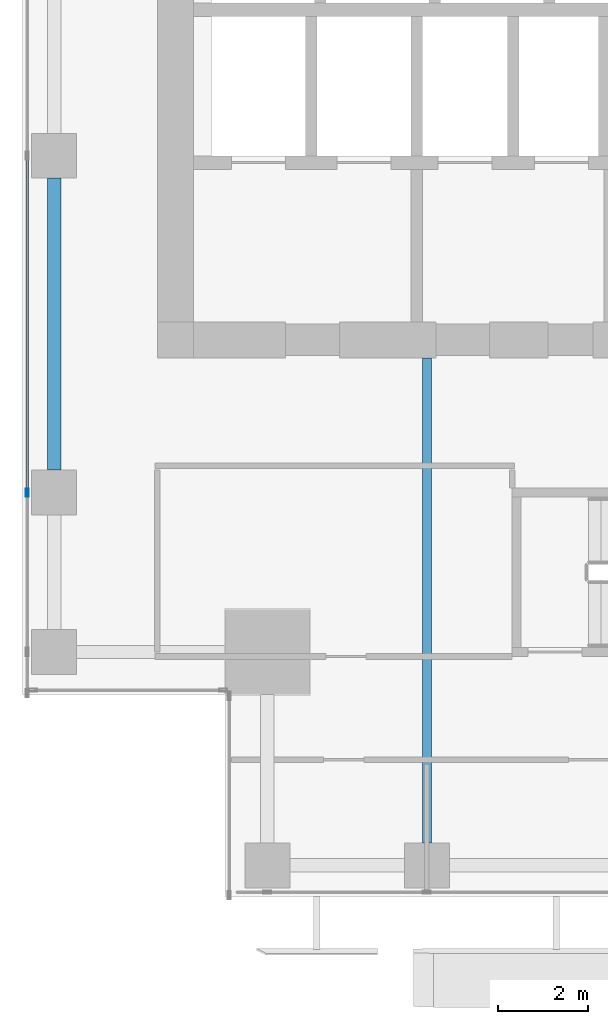
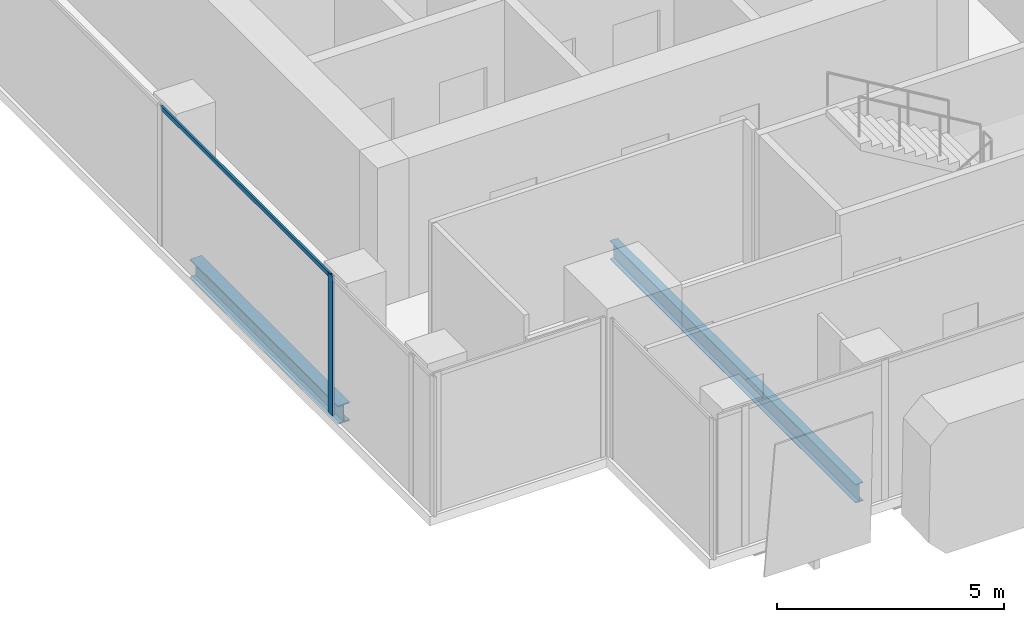
# One storey, part 4 of 38: 2 beams, 2 members, 1 element without a shape of its own.
"""IFC4 building model written with IfcOpenShell, lengths in metres."""

from ifc_helpers import new_model, si_unit, direction, frame, origin, origin_2d, place, context, subcontext, project, spatial, hollow_rectangle, i_section, extrude, source, transform, mapped, material, material_profile, profile_set, type_object, element, aggregate, save


model = new_model("IFC4")

# Units and contexts
model_context = context("Model", 3, precision=1e-05, world=origin(), true_north=direction((0.0, 1.0)))
body_context = subcontext(model_context, "Body", "Model", "MODEL_VIEW")
ifc_project = project(units=[si_unit("LENGTHUNIT", "METRE"), si_unit("AREAUNIT", "SQUARE_METRE"), si_unit("VOLUMEUNIT", "CUBIC_METRE"), si_unit("PLANEANGLEUNIT", "RADIAN"), si_unit("MASSUNIT", "GRAM", prefix="KILO")], contexts=[model_context])

# Site, building, storey
site_placement = place(None, origin())
site = spatial("IfcSite", under=ifc_project, at=site_placement, CompositionType="ELEMENT")
building_placement = place(site_placement, origin())
building = spatial("IfcBuilding", under=site, at=building_placement, Name="Khomas Fold Tower", CompositionType="ELEMENT")
storey_placement = place(building_placement, frame((0.0, 0.0, 172.699951171875)))
storey = spatial("IfcBuildingStorey", under=building, at=storey_placement, Name="L37", CompositionType="ELEMENT", Elevation=172.699951171875)

# Beams
ifc_material_1 = material(Name="Steel S355", Category="steel")
ifc_material_profile_1 = material_profile(ifc_material_1, i_section(OverallWidth=0.300048828125, OverallDepth=0.5, WebThickness=0.014404296875, FlangeThickness=0.028076171875, at=origin_2d()), Name="HE 500 B")
ifc_profile_set_1 = profile_set([ifc_material_profile_1], Name="Steel S355")
beam_type_1 = type_object("IfcBeamType", Name="HE 500 B spandrel SB3", PredefinedType="SPANDREL", material=ifc_profile_set_1)
shared_shape_1 = source(origin(), body_context, "Body", "SweptSolid", [
    extrude(i_section(OverallWidth=0.300048828125, OverallDepth=0.5, WebThickness=0.014404296875, FlangeThickness=0.028076171875, at=origin_2d()), origin(), (0.0, 0.0, 1.0), 6.5),
])
beam_1_placement = place(storey_placement, frame((3.699951171875, 12.5, -0.5), z_axis=(0.0, 1.0, 0.0), x_axis=(-1.0, 0.0, 0.0)))
element("IfcBeam", 1, at=beam_1_placement, inside=storey, type_object=beam_type_1, Name="SB3", PredefinedType="SPANDREL", context=body_context, shape_type="MappedRepresentation", body=[
    mapped(shared_shape_1, transform((0.0, 0.0, 0.0))),
])
ifc_material_2 = material(Name="Steel S355", Category="steel")
ifc_material_profile_2 = material_profile(ifc_material_2, i_section(OverallWidth=0.199951171875, OverallDepth=0.5, WebThickness=0.01025390625, FlangeThickness=0.01611328125, at=origin_2d()), Name="IPE 500")
ifc_profile_set_2 = profile_set([ifc_material_profile_2], Name="Steel S355")
beam_type_2 = type_object("IfcBeamType", Name="IPE 500 beam JB5", PredefinedType="BEAM", material=ifc_profile_set_2)
shared_shape_2 = source(origin(), body_context, "Body", "SweptSolid", [
    extrude(i_section(OverallWidth=0.199951171875, OverallDepth=0.5, WebThickness=0.01025390625, FlangeThickness=0.01611328125, at=origin_2d()), origin(), (0.0, 0.0, 1.0), 10.800048828125),
])
beam_2_placement = place(storey_placement, frame((12.0, 4.199951171875, -0.5), z_axis=(0.0, 1.0, 0.0), x_axis=(-1.0, 0.0, 0.0)))
element("IfcBeam", 2, at=beam_2_placement, inside=storey, type_object=beam_type_2, Name="JB5", PredefinedType="BEAM", context=body_context, shape_type="MappedRepresentation", body=[
    mapped(shared_shape_2, transform((0.0, 0.0, 0.0))),
])

# Curtain wall, members
ifc_material_3 = material(Name="Aluminium framed double glazing", Category="aluminium")
curtain_wall_type = type_object("IfcCurtainWallType", Name="SK-Unitised clear-glass wall, office floors CW2", PredefinedType="NOTDEFINED", material=ifc_material_3)
curtain_wall_placement = place(storey_placement, origin())
curtain_wall = element("IfcCurtainWall", 3, at=curtain_wall_placement, inside=storey, type_object=curtain_wall_type, Name="CW2 run L37 18-0", PredefinedType="NOTDEFINED")
ifc_material_4 = material(Name="Aluminium", Category="aluminium")
ifc_material_profile_3 = material_profile(ifc_material_4, hollow_rectangle(XDim=0.06005859375, YDim=0.179931640625, WallThickness=0.00390625, at=origin_2d()), Name="SK-Unitised clear-glass wall, office floors mullion CW2-M")
ifc_profile_set_3 = profile_set([ifc_material_profile_3], Name="Aluminium")
member_type_1 = type_object("IfcMemberType", Name="SK-Unitised clear-glass wall, office floors mullion CW2-M", PredefinedType="MULLION", material=ifc_profile_set_3)
shared_shape_3 = source(origin(), body_context, "Body", "SweptSolid", [
    extrude(hollow_rectangle(XDim=0.06005859375, YDim=0.179931640625, WallThickness=0.00390625, at=origin_2d()), origin(), (0.0, 0.0, 1.0), 3.75),
])
member_1_placement = place(storey_placement, frame((3.10009765625, 12.0, 0.0), z_axis=(0.0, 0.0, 1.0), x_axis=(1.0, 0.0, 0.0)))
member_1 = element("IfcMember", 4, at=member_1_placement, type_object=member_type_1, Name="CW2 mullion 7", PredefinedType="MULLION", context=body_context, shape_type="MappedRepresentation", body=[
    mapped(shared_shape_3, transform((0.0, 0.0, 0.0))),
])
ifc_material_5 = material(Name="Aluminium", Category="aluminium")
ifc_material_profile_4 = material_profile(ifc_material_5, hollow_rectangle(XDim=0.050048828125, YDim=0.110107421875, WallThickness=0.00390625, at=origin_2d()), Name="SK-Unitised clear-glass wall, office floors transom CW2-T")
ifc_profile_set_4 = profile_set([ifc_material_profile_4], Name="Aluminium")
member_type_2 = type_object("IfcMemberType", Name="SK-Unitised clear-glass wall, office floors transom CW2-T", PredefinedType="USERDEFINED", material=ifc_profile_set_4)
shared_shape_4 = source(origin(), body_context, "Body", "SweptSolid", [
    extrude(hollow_rectangle(XDim=0.050048828125, YDim=0.110107421875, WallThickness=0.00390625, at=origin_2d()), origin(), (0.0, 0.0, 1.0), 7.43994140625),
])
member_2_placement = place(storey_placement, frame((3.10009765625, 19.469970703125, 3.695068359375), z_axis=(0.0, -1.0, 0.0), x_axis=(1.0, 0.0, 0.0)))
member_2 = element("IfcMember", 5, at=member_2_placement, type_object=member_type_2, Name="CW2 transom 6", ObjectType="TRANSOM", PredefinedType="USERDEFINED", context=body_context, shape_type="MappedRepresentation", body=[
    mapped(shared_shape_4, transform((0.0, 0.0, 0.0))),
])
aggregate(curtain_wall, [member_1, member_2])

save(model, "model.ifc")
